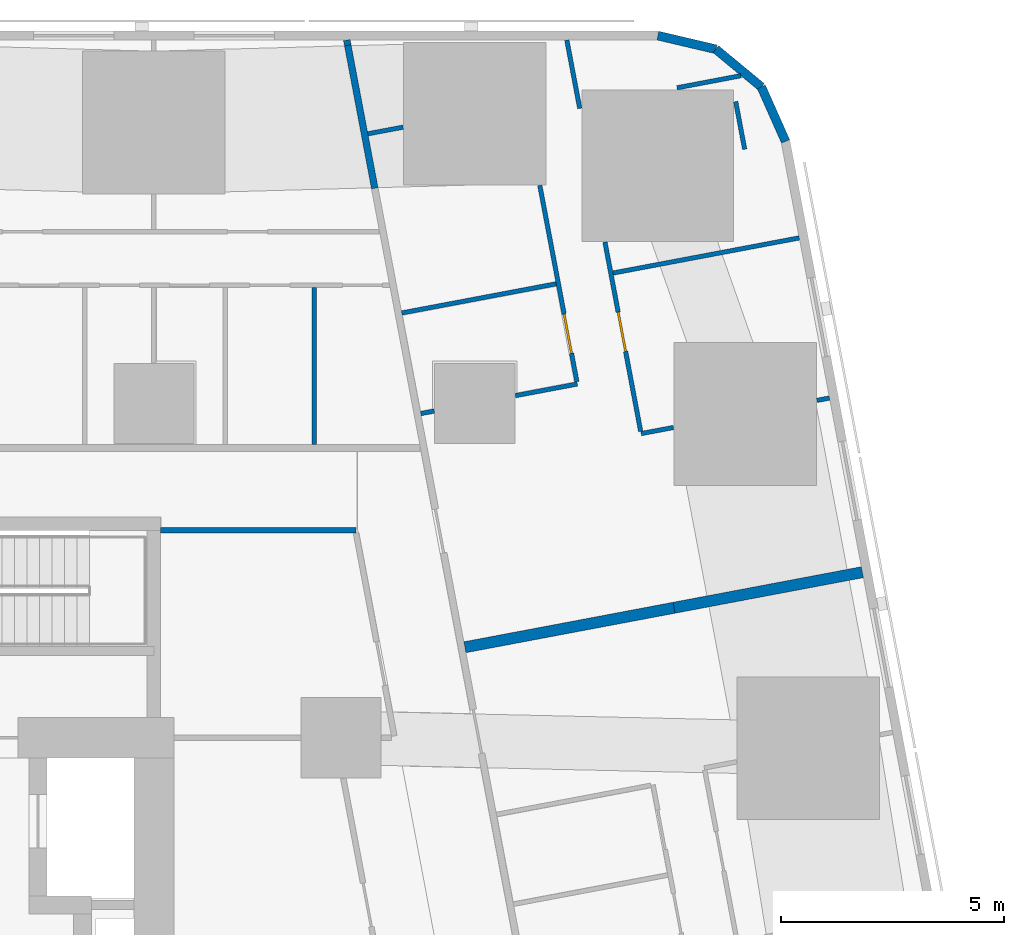
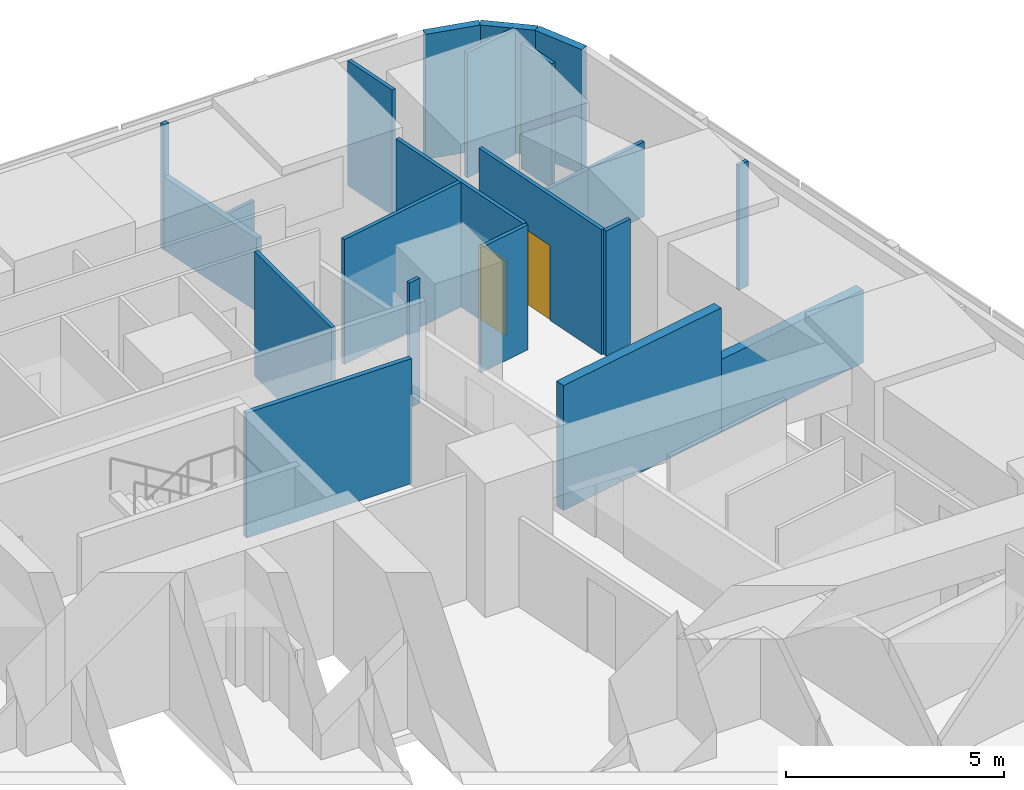
# One storey, part 13 of 17: 21 walls, 2 doors, 2 openings.
"""IFC4 building model written with IfcOpenShell, lengths in metres."""

from ifc_helpers import new_model, si_unit, direction, frame, frame_2d, origin, place, context, subcontext, project, spatial, rectangle, extrude, material, layer, layer_set, type_object, element, fill, save


model = new_model("IFC4")

# Units and contexts
model_context = context("Model", 3, precision=1e-05, world=origin(), true_north=direction((0.0, 1.0)))
body_context = subcontext(model_context, "Body", "Model", "MODEL_VIEW")
ifc_project = project(units=[si_unit("LENGTHUNIT", "METRE"), si_unit("AREAUNIT", "SQUARE_METRE"), si_unit("VOLUMEUNIT", "CUBIC_METRE"), si_unit("PLANEANGLEUNIT", "RADIAN"), si_unit("MASSUNIT", "GRAM", prefix="KILO")], contexts=[model_context])

# Site, building, storey
site_placement = place(None, origin())
site = spatial("IfcSite", under=ifc_project, at=site_placement, CompositionType="ELEMENT")
building_placement = place(site_placement, origin())
building = spatial("IfcBuilding", under=site, at=building_placement, Name="Sheger Commons Tower", CompositionType="ELEMENT")
storey_placement = place(building_placement, frame((0.0, 0.0, 23.75)))
storey = spatial("IfcBuildingStorey", under=building, at=storey_placement, Name="L05", CompositionType="ELEMENT", Elevation=23.75)

# Walls
ifc_material_1 = material(Name="Hollow concrete block masonry, skimmed both sides", Category="masonry")
ifc_layer_1 = layer(ifc_material_1, 0.14990234375)
ifc_layer_set_1 = layer_set([ifc_layer_1], Name="CORRIDOR WALL 150")
wall_type_1 = type_object("IfcWallType", Name="CORRIDOR WALL 150", PredefinedType="SOLIDWALL", material=ifc_layer_set_1)
wall_1_placement = place(storey_placement, frame((33.126953125, 45.64990234375, 0.0), z_axis=(0.0, 0.0, 1.0), x_axis=(0.184660164975, -0.98280243359, 0.0)))
element("IfcWall", 1, at=wall_1_placement, inside=storey, type_object=wall_type_1, Name="Corridor wall L05", PredefinedType="SOLIDWALL", context=body_context, shape_type="SweptSolid", body=[
    extrude(rectangle(XDim=0.118896484375, YDim=0.14990234375, at=frame_2d((0.0595703125, 0.0))), origin(), (0.0, 0.0, 1.0), 3.5),
])
wall_2_placement = place(storey_placement, frame((33.14892578125, 45.532958984375, 0.0), z_axis=(0.0, 0.0, 1.0), x_axis=(0.185606774758, -0.98262410166, 0.0)))
element("IfcWall", 2, at=wall_2_placement, inside=storey, type_object=wall_type_1, Name="Corridor wall L05", PredefinedType="SOLIDWALL", context=body_context, shape_type="SweptSolid", body=[
    extrude(rectangle(XDim=3.2646484375, YDim=0.14990234375, at=frame_2d((1.63232421875, 0.0))), origin(), (0.0, 0.0, 1.0), 2.050048828125),
])
ifc_material_2 = material(Name="Dense concrete block masonry, plastered both sides (separating wall between flats)", Category="masonry")
ifc_layer_2 = layer(ifc_material_2, 0.25)
ifc_layer_set_2 = layer_set([ifc_layer_2], Name="DEMISING WALL 250")
wall_type_2 = type_object("IfcWallType", Name="DEMISING WALL 250", PredefinedType="SOLIDWALL", material=ifc_layer_set_2)
wall_3_placement = place(storey_placement, frame((44.693115234375, 33.712890625, 0.0), z_axis=(0.0, 0.0, 1.0), x_axis=(-0.982633535512, -0.185556823879, 0.0)))
element("IfcWall", 3, at=wall_3_placement, inside=storey, type_object=wall_type_2, Name="Demising wall L05", PredefinedType="SOLIDWALL", context=body_context, shape_type="SweptSolid", body=[
    extrude(rectangle(XDim=4.2998046875, YDim=0.25, at=frame_2d((2.14990234375, 0.0))), origin(), (0.0, 0.0, 1.0), 2.050048828125),
])
wall_4_placement = place(storey_placement, frame((40.468017578125, 32.9150390625, 0.0), z_axis=(0.0, 0.0, 1.0), x_axis=(-0.982635807605, -0.185544791394, 0.0)))
element("IfcWall", 4, at=wall_4_placement, inside=storey, type_object=wall_type_2, Name="Demising wall L05", PredefinedType="SOLIDWALL", context=body_context, shape_type="SweptSolid", body=[
    extrude(rectangle(XDim=4.775146484375, YDim=0.25, at=frame_2d((2.3876953125, 0.0))), origin(), (0.0, 0.0, 1.0), 3.5),
])
ifc_material_3 = material(Name="Rendered concrete block masonry, dark grey", Category="masonry")
ifc_layer_3 = layer(ifc_material_3, 0.199951171875)
ifc_layer_set_3 = layer_set([ifc_layer_3], Name="FACADE WALL 200")
wall_type_3 = type_object("IfcWallType", Name="FACADE WALL 200", PredefinedType="SOLIDWALL", material=ifc_layer_set_3)
wall_5_placement = place(storey_placement, frame((42.969970703125, 43.376953125, 0.0), z_axis=(0.0, 0.0, 1.0), x_axis=(-0.406002956633, 0.913871762998, 0.0)))
element("IfcWall", 5, at=wall_5_placement, inside=storey, type_object=wall_type_3, Name="Facade wall L05", PredefinedType="SOLIDWALL", context=body_context, shape_type="SweptSolid", body=[
    extrude(rectangle(XDim=1.33740234375, YDim=0.199951171875, at=frame_2d((0.668701171875, 0.0))), origin(), (0.0, 0.0, 1.0), 3.5),
])
wall_6_placement = place(storey_placement, frame((42.427001953125, 44.59912109375, 0.0), z_axis=(0.0, 0.0, 1.0), x_axis=(-0.770091412544, 0.637933551655, 0.0)))
element("IfcWall", 6, at=wall_6_placement, inside=storey, type_object=wall_type_3, Name="Facade wall L05", PredefinedType="SOLIDWALL", context=body_context, shape_type="SweptSolid", body=[
    extrude(rectangle(XDim=1.324462890625, YDim=0.199951171875, at=frame_2d((0.662109375, 0.0))), origin(), (0.0, 0.0, 1.0), 3.5),
])
wall_7_placement = place(storey_placement, frame((41.406982421875, 45.444091796875, 0.0), z_axis=(0.0, 0.0, 1.0), x_axis=(-0.973453091607, 0.228886606077, 0.0)))
element("IfcWall", 7, at=wall_7_placement, inside=storey, type_object=wall_type_3, Name="Facade wall L05", PredefinedType="SOLIDWALL", context=body_context, shape_type="SweptSolid", body=[
    extrude(rectangle(XDim=1.33642578125, YDim=0.199951171875, at=frame_2d((0.668212890625, 0.0))), origin(), (0.0, 0.0, 1.0), 3.5),
])
ifc_material_4 = material(Name="Gypsum board on steel studs", Category="steel")
ifc_layer_4 = layer(ifc_material_4, 0.10009765625)
ifc_layer_set_4 = layer_set([ifc_layer_4], Name="PARTITION 100")
wall_type_4 = type_object("IfcWallType", Name="PARTITION 100", PredefinedType="PARTITIONING", material=ifc_layer_set_4)
wall_8_placement = place(storey_placement, frame((41.85107421875, 44.26904296875, 0.0), z_axis=(0.0, 0.0, 1.0), x_axis=(0.185411943936, -0.982660883034, 0.0)))
element("IfcWall", 8, at=wall_8_placement, inside=storey, type_object=wall_type_4, Name="Partition L05", PredefinedType="PARTITIONING", context=body_context, shape_type="SweptSolid", body=[
    extrude(rectangle(XDim=1.0888671875, YDim=0.10009765625, at=frame_2d((0.54443359375, 0.0))), origin(), (0.0, 0.0, 1.0), 3.5),
])
wall_9_placement = place(storey_placement, frame((38.06298828125, 45.64990234375, 0.0), z_axis=(0.0, 0.0, 1.0), x_axis=(0.185789650565, -0.982589540827, 0.0)))
element("IfcWall", 9, at=wall_9_placement, inside=storey, type_object=wall_type_4, Name="Partition L05", PredefinedType="PARTITIONING", context=body_context, shape_type="SweptSolid", body=[
    extrude(rectangle(XDim=1.56103515625, YDim=0.10009765625, at=frame_2d((0.780517578125, 0.0))), origin(), (0.0, 0.0, 1.0), 3.5),
])

# Wall, opening, door
wall_10_placement = place(storey_placement, frame((38.91796875, 41.1201171875, 0.0), z_axis=(0.0, 0.0, 1.0), x_axis=(0.185474723155, -0.982649035552, 0.0)))
wall_10 = element("IfcWall", 10, at=wall_10_placement, inside=storey, type_object=wall_type_4, Name="Partition L05", PredefinedType="PARTITIONING", context=body_context, shape_type="SweptSolid", body=[
    extrude(rectangle(XDim=4.323974609375, YDim=0.10009765625, at=frame_2d((2.162109375, 0.0))), origin(), (0.0, 0.0, 1.0), 3.5),
])
opening_1_placement = place(wall_10_placement, frame((1.60009765625, 0.0, 0.0)))
opening_1 = element("IfcOpeningElement", 11, at=opening_1_placement, cuts=wall_10, Name="Opening D2", PredefinedType="OPENING", context=body_context, shape_type="SweptSolid", body=[
    extrude(rectangle(XDim=0.89990234375, YDim=2.10009765625, at=frame_2d((0.449951171875, 1.050048828125))), frame((0.0, 0.06005859375, 0.0), z_axis=(0.0, -1.0, 0.0), x_axis=(1.0, 0.0, 0.0)), (0.0, 0.0, 1.0), 0.1201171875),
])
ifc_material_5 = material(Name="Timber door set", Category="wood")
door_type = type_object("IfcDoorType", Name="INTERNAL DOOR 900x2100", OperationType="NOTDEFINED", PredefinedType="DOOR", material=ifc_material_5)
door_1_placement = place(opening_1_placement, origin())
door_1 = element("IfcDoor", 12, at=door_1_placement, inside=storey, type_object=door_type, Name="Main bedroom door", OperationType="SINGLE_SWING_LEFT", OverallHeight=2.10009765625, OverallWidth=0.89990234375, PredefinedType="DOOR", context=body_context, shape_type="SweptSolid", body=[
    extrude(rectangle(XDim=0.89990234375, YDim=2.10009765625, at=frame_2d((0.449951171875, 1.050048828125))), frame((0.0, 0.02490234375, 0.0), z_axis=(0.0, -1.0, 0.0), x_axis=(1.0, 0.0, 0.0)), (0.0, 0.0, 1.0), 0.050048828125),
])
fill(opening_1, door_1)

wall_11_placement = place(storey_placement, frame((37.45703125, 42.389892578125, 0.0), z_axis=(0.0, 0.0, 1.0), x_axis=(0.185560627322, -0.982632817276, 0.0)))
wall_11 = element("IfcWall", 13, at=wall_11_placement, inside=storey, type_object=wall_type_4, Name="Partition L05", PredefinedType="PARTITIONING", context=body_context, shape_type="SweptSolid", body=[
    extrude(rectangle(XDim=4.48388671875, YDim=0.10009765625, at=frame_2d((2.241943359375, 0.0))), origin(), (0.0, 0.0, 1.0), 3.5),
])
opening_2_placement = place(wall_11_placement, frame((2.93603515625, 0.0, 0.0)))
opening_2 = element("IfcOpeningElement", 14, at=opening_2_placement, cuts=wall_11, Name="Opening D2", PredefinedType="OPENING", context=body_context, shape_type="SweptSolid", body=[
    extrude(rectangle(XDim=0.89990234375, YDim=2.10009765625, at=frame_2d((0.449951171875, 1.050048828125))), frame((0.0, 0.06005859375, 0.0), z_axis=(0.0, -1.0, 0.0), x_axis=(1.0, 0.0, 0.0)), (0.0, 0.0, 1.0), 0.1201171875),
])
door_2_placement = place(opening_2_placement, origin())
door_2 = element("IfcDoor", 15, at=door_2_placement, inside=storey, type_object=door_type, Name="Bathroom door", OperationType="SINGLE_SWING_LEFT", OverallHeight=2.10009765625, OverallWidth=0.89990234375, PredefinedType="DOOR", context=body_context, shape_type="SweptSolid", body=[
    extrude(rectangle(XDim=0.89990234375, YDim=2.10009765625, at=frame_2d((0.449951171875, 1.050048828125))), frame((0.0, 0.02490234375, 0.0), z_axis=(0.0, -1.0, 0.0), x_axis=(1.0, 0.0, 0.0)), (0.0, 0.0, 1.0), 0.050048828125),
])
fill(opening_2, door_2)

# Walls
wall_12_placement = place(storey_placement, frame((41.968017578125, 44.85009765625, 0.0), z_axis=(0.0, 0.0, 1.0), x_axis=(-0.982563630066, -0.185926633033, 0.0)))
element("IfcWall", 16, at=wall_12_placement, inside=storey, type_object=wall_type_4, Name="Partition L05", PredefinedType="PARTITIONING", context=body_context, shape_type="SweptSolid", body=[
    extrude(rectangle(XDim=1.45751953125, YDim=0.10009765625, at=frame_2d((0.728759765625, 0.0))), origin(), (0.0, 0.0, 1.0), 3.5),
])
wall_13_placement = place(storey_placement, frame((43.277099609375, 41.2119140625, 0.0), z_axis=(0.0, 0.0, 1.0), x_axis=(-0.982665405803, -0.185387972203, 0.0)))
element("IfcWall", 17, at=wall_13_placement, inside=storey, type_object=wall_type_4, Name="Partition L05", PredefinedType="PARTITIONING", context=body_context, shape_type="SweptSolid", body=[
    extrude(rectangle(XDim=4.249755859375, YDim=0.10009765625, at=frame_2d((2.125, 0.0))), origin(), (0.0, 0.0, 1.0), 2.10009765625),
])
wall_14_placement = place(storey_placement, frame((43.955078125, 37.6201171875, 0.0), z_axis=(0.0, 0.0, 1.0), x_axis=(-0.982532299353, -0.186092129678, 0.0)))
element("IfcWall", 18, at=wall_14_placement, inside=storey, type_object=wall_type_4, Name="Partition L05", PredefinedType="PARTITIONING", context=body_context, shape_type="SweptSolid", body=[
    extrude(rectangle(XDim=0.285888671875, YDim=0.10009765625, at=frame_2d((0.14306640625, 0.0))), origin(), (0.0, 0.0, 1.0), 3.5),
])
wall_15_placement = place(storey_placement, frame((40.4541015625, 36.958984375, 0.0), z_axis=(0.0, 0.0, 1.0), x_axis=(-0.982578421631, -0.185848447247, 0.0)))
element("IfcWall", 19, at=wall_15_placement, inside=storey, type_object=wall_type_4, Name="Partition L05", PredefinedType="PARTITIONING", context=body_context, shape_type="SweptSolid", body=[
    extrude(rectangle(XDim=0.737060546875, YDim=0.10009765625, at=frame_2d((0.36865234375, 0.0))), origin(), (0.0, 0.0, 1.0), 3.5),
])
wall_16_placement = place(storey_placement, frame((34.389892578125, 43.696044921875, 0.0), z_axis=(0.0, 0.0, 1.0), x_axis=(-0.982640737979, -0.185518678479, 0.0)))
element("IfcWall", 20, at=wall_16_placement, inside=storey, type_object=wall_type_4, Name="Partition L05", PredefinedType="PARTITIONING", context=body_context, shape_type="SweptSolid", body=[
    extrude(rectangle(XDim=0.802734375, YDim=0.10009765625, at=frame_2d((0.4013671875, 0.0))), origin(), (0.0, 0.0, 1.0), 2.050048828125),
])
wall_17_placement = place(storey_placement, frame((37.822998046875, 40.181884765625, 0.0), z_axis=(0.0, 0.0, 1.0), x_axis=(-0.98263926043, -0.185526504472, 0.0)))
element("IfcWall", 21, at=wall_17_placement, inside=storey, type_object=wall_type_4, Name="Partition L05", PredefinedType="PARTITIONING", context=body_context, shape_type="SweptSolid", body=[
    extrude(rectangle(XDim=3.524169921875, YDim=0.10009765625, at=frame_2d((1.76220703125, 0.0))), origin(), (0.0, 0.0, 1.0), 3.5),
])
wall_18_placement = place(storey_placement, frame((38.299072265625, 37.93505859375, 0.0), z_axis=(0.0, 0.0, 1.0), x_axis=(-0.982680053146, -0.185310315822, 0.0)))
element("IfcWall", 22, at=wall_18_placement, inside=storey, type_object=wall_type_4, Name="Partition L05", PredefinedType="PARTITIONING", context=body_context, shape_type="SweptSolid", body=[
    extrude(rectangle(XDim=1.41357421875, YDim=0.10009765625, at=frame_2d((0.706787109375, 0.0))), origin(), (0.0, 0.0, 1.0), 3.5),
])
wall_19_placement = place(storey_placement, frame((35.090087890625, 37.327880859375, 0.0), z_axis=(0.0, 0.0, 1.0), x_axis=(-0.982961380226, -0.183812200315, 0.0)))
element("IfcWall", 23, at=wall_19_placement, inside=storey, type_object=wall_type_4, Name="Partition L05", PredefinedType="PARTITIONING", context=body_context, shape_type="SweptSolid", body=[
    extrude(rectangle(XDim=0.3095703125, YDim=0.10009765625, at=frame_2d((0.15478515625, 0.0))), origin(), (0.0, 0.0, 1.0), 3.5),
])
wall_20_placement = place(storey_placement, frame((32.39990234375, 36.574951171875, 0.0), z_axis=(0.0, 0.0, 1.0), x_axis=(0.0, 1.0, 0.0)))
element("IfcWall", 24, at=wall_20_placement, inside=storey, type_object=wall_type_4, Name="Partition L05", PredefinedType="PARTITIONING", context=body_context, shape_type="SweptSolid", body=[
    extrude(rectangle(XDim=3.525146484375, YDim=0.10009765625, at=frame_2d((1.7626953125, 0.0))), origin(), (0.0, 0.0, 1.0), 3.5),
])
ifc_material_6 = material(Name="Gypsum board on steel studs, two layers each side, fire rated", Category="steel")
ifc_layer_5 = layer(ifc_material_6, 0.125)
ifc_layer_set_5 = layer_set([ifc_layer_5], Name="SERVICE WALL 125")
wall_type_5 = type_object("IfcWallType", Name="SERVICE WALL 125", PredefinedType="PARTITIONING", material=ifc_layer_set_5)
wall_21_placement = place(storey_placement, frame((28.949951171875, 34.64990234375, 0.0), z_axis=(0.0, 0.0, 1.0), x_axis=(1.0, 0.0, 0.0)))
element("IfcWall", 25, at=wall_21_placement, inside=storey, type_object=wall_type_5, Name="Service room wall L05", PredefinedType="PARTITIONING", context=body_context, shape_type="SweptSolid", body=[
    extrude(rectangle(XDim=4.381103515625, YDim=0.125, at=frame_2d((2.1904296875, 0.0))), origin(), (0.0, 0.0, 1.0), 3.5),
])

save(model, "model.ifc")
